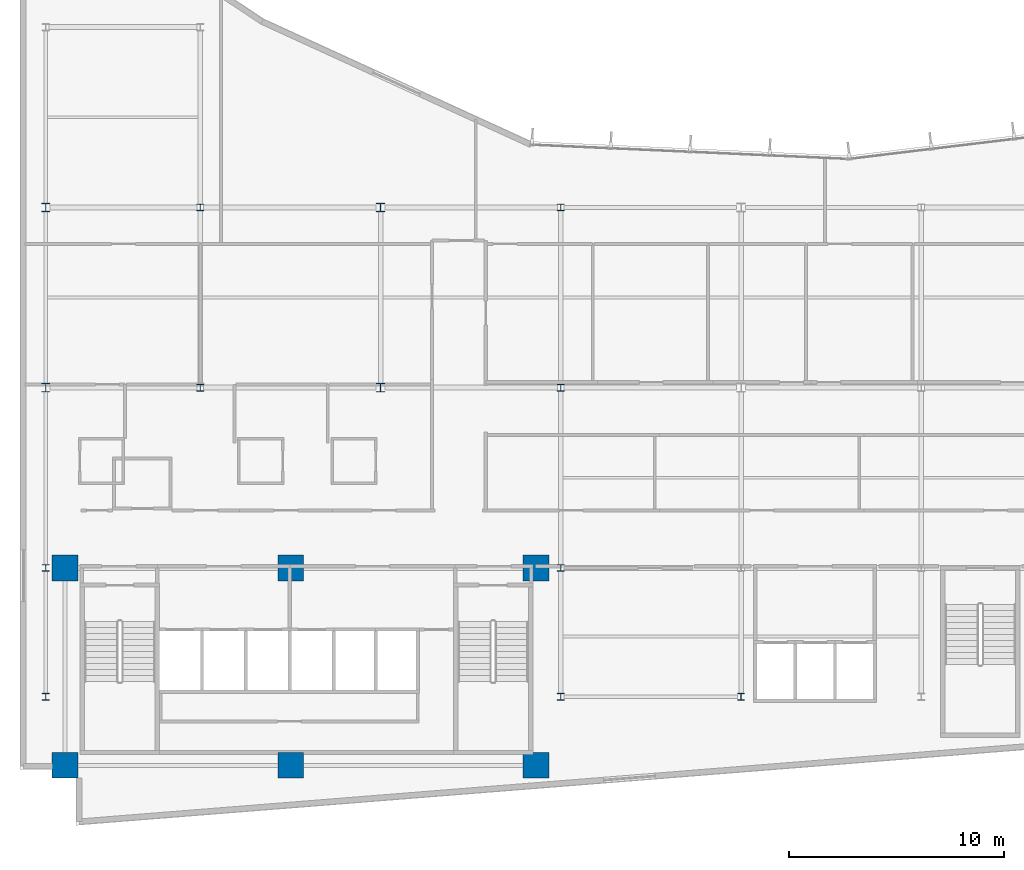
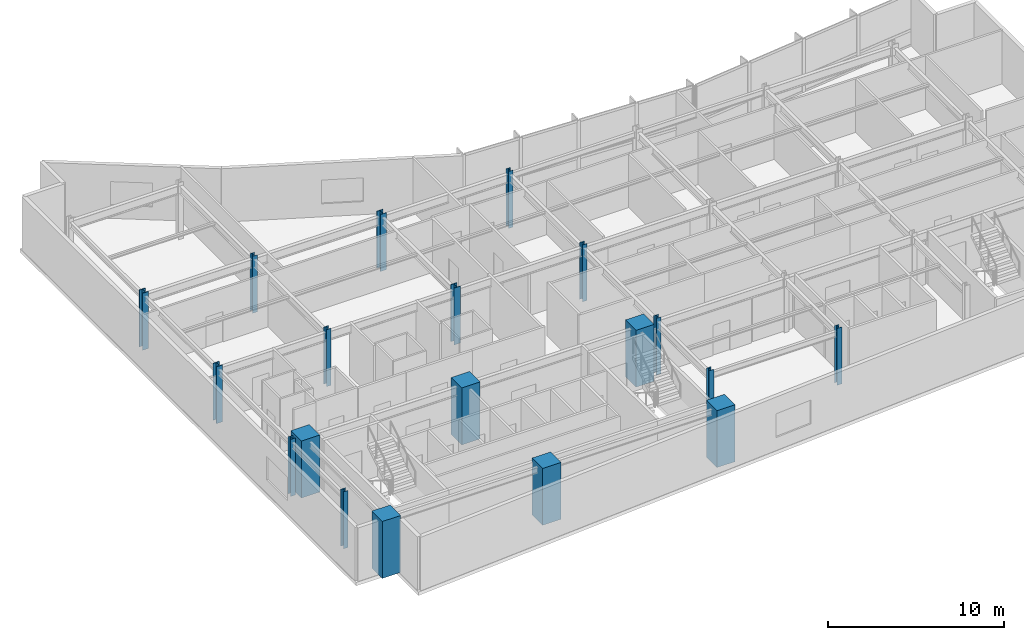
# One storey, part 1 of 18: 19 columns.
"""IFC4 building model written with IfcOpenShell, lengths in metres."""

from ifc_helpers import new_model, si_unit, direction, frame, origin, origin_2d, place, context, subcontext, project, spatial, rectangle, i_section, extrude, material, material_profile, profile_set, type_object, element, save


model = new_model("IFC4")

# Units and contexts
model_context = context("Model", 3, precision=1e-05, world=origin(), true_north=direction((0.0, 1.0)))
body_context = subcontext(model_context, "Body", "Model", "MODEL_VIEW")
ifc_project = project(units=[si_unit("LENGTHUNIT", "METRE"), si_unit("AREAUNIT", "SQUARE_METRE"), si_unit("VOLUMEUNIT", "CUBIC_METRE"), si_unit("PLANEANGLEUNIT", "RADIAN"), si_unit("MASSUNIT", "GRAM", prefix="KILO")], contexts=[model_context])

# Site, building, storey
site_placement = place(None, origin())
site = spatial("IfcSite", under=ifc_project, at=site_placement, CompositionType="ELEMENT")
building_placement = place(site_placement, origin())
building = spatial("IfcBuilding", under=site, at=building_placement, Name="Varnakote Quay Hospital", CompositionType="ELEMENT")
storey_placement = place(building_placement, frame((0.0, 0.0, 154.699951171875)))
storey = spatial("IfcBuildingStorey", under=building, at=storey_placement, Name="L38", CompositionType="ELEMENT", Elevation=154.699951171875)

# Columns
ifc_material_1 = material(Name="Concrete N80 (f'c 80 MPa)", Category="concrete")
ifc_material_profile_1 = material_profile(ifc_material_1, rectangle(XDim=1.199951171875, YDim=1.199951171875, at=origin_2d()), Name="RC-COL-1200x1200")
ifc_profile_set_1 = profile_set([ifc_material_profile_1], Name="Concrete N80 (f'c 80 MPa)")
column_type_1 = type_object("IfcColumnType", Name="COL-RC-1200", PredefinedType="COLUMN", material=ifc_profile_set_1)
for number, where, z_axis, x_axis, name in (
    (1, (2.10009765625, 2.800048828125, 0.0), (0.0, 0.0, 1.0), (1.0, 0.0, 0.0), "L38 Structural Column C-2-3"),
    (2, (12.6201171875, 2.800048828125, 0.0), (0.0, 0.0, 1.0), (1.0, 0.0, 0.0), "L38 Structural Column C-13-3"),
    (3, (24.050048828125, 2.800048828125, 0.0), (0.0, 0.0, 1.0), (1.0, 0.0, 0.0), "L38 Structural Column C-24-3"),
    (4, (2.10009765625, 12.0, 0.0), (0.0, 0.0, 1.0), (1.0, 0.0, 0.0), "L38 Structural Column C-2-12"),
    (5, (12.6201171875, 12.0, 0.0), (0.0, 0.0, 1.0), (1.0, 0.0, 0.0), "L38 Structural Column C-13-12"),
    (6, (24.050048828125, 12.0, 0.0), (0.0, 0.0, 1.0), (1.0, 0.0, 0.0), "L38 Structural Column C-24-12"),
):
    element("IfcColumn", number, at=place(storey_placement, frame(where, z_axis=z_axis, x_axis=x_axis)), inside=storey, type_object=column_type_1, Name=name, PredefinedType="COLUMN", context=body_context, shape_type="SweptSolid", body=[
        extrude(rectangle(XDim=1.199951171875, YDim=1.199951171875, at=origin_2d()), origin(), (0.0, 0.0, 1.0), 3.949951171875),
    ])
ifc_material_2 = material(Name="Structural steel AS/NZS 3679.1 Grade 350 L0 (fy 340 MPa)", Category="steel")
ifc_material_profile_2 = material_profile(ifc_material_2, i_section(OverallWidth=0.306884765625, OverallDepth=0.31494140625, WebThickness=0.011962890625, FlangeThickness=0.018798828125, FilletRadius=0.0166015625, at=origin_2d()), Name="310UC118")
ifc_profile_set_2 = profile_set([ifc_material_profile_2], Name="Structural steel AS/NZS 3679.1 Grade 350 L0 (fy 340 MPa)")
column_type_2 = type_object("IfcColumnType", Name="COL-STL-310UC118", PredefinedType="COLUMN", material=ifc_profile_set_2)
for number, where, z_axis, x_axis, name in (
    (7, (1.199951171875, 6.0, 0.0), (0.0, 0.0, 1.0), (1.0, 0.0, 0.0), "L38 Structural Column C-1-6"),
    (8, (25.199951171875, 6.0, 0.0), (0.0, 0.0, 1.0), (1.0, 0.0, 0.0), "L38 Structural Column C-25-6"),
    (9, (33.60009765625, 6.0, 0.0), (0.0, 0.0, 1.0), (1.0, 0.0, 0.0), "L38 Structural Column C-34-6"),
    (10, (1.199951171875, 12.0, 0.0), (0.0, 0.0, 1.0), (1.0, 0.0, 0.0), "L38 Structural Column C-1-12"),
    (11, (25.199951171875, 12.0, 0.0), (0.0, 0.0, 1.0), (1.0, 0.0, 0.0), "L38 Structural Column C-25-12"),
    (12, (8.39990234375, 20.39990234375, 0.0), (0.0, 0.0, 1.0), (1.0, 0.0, 0.0), "L38 Structural Column C-8-20"),
    (13, (25.199951171875, 20.39990234375, 0.0), (0.0, 0.0, 1.0), (1.0, 0.0, 0.0), "L38 Structural Column C-25-20"),
    (14, (8.39990234375, 28.800048828125, 0.0), (0.0, 0.0, 1.0), (1.0, 0.0, 0.0), "L38 Structural Column C-8-29"),
    (15, (25.199951171875, 28.800048828125, 0.0), (0.0, 0.0, 1.0), (1.0, 0.0, 0.0), "L38 Structural Column C-25-29"),
):
    element("IfcColumn", number, at=place(storey_placement, frame(where, z_axis=z_axis, x_axis=x_axis)), inside=storey, type_object=column_type_2, Name=name, PredefinedType="COLUMN", context=body_context, shape_type="SweptSolid", body=[
        extrude(i_section(OverallWidth=0.306884765625, OverallDepth=0.31494140625, WebThickness=0.011962890625, FlangeThickness=0.018798828125, FilletRadius=0.0166015625, at=origin_2d()), origin(), (0.0, 0.0, 1.0), 3.949951171875),
    ])
ifc_material_3 = material(Name="Structural steel AS/NZS 3678 Grade 350 (fy 340 MPa)", Category="steel")
ifc_material_profile_3 = material_profile(ifc_material_3, i_section(OverallWidth=0.39990234375, OverallDepth=0.419921875, WebThickness=0.02490234375, FlangeThickness=0.0400390625, at=origin_2d()), Name="400WC328")
ifc_profile_set_3 = profile_set([ifc_material_profile_3], Name="Structural steel AS/NZS 3678 Grade 350 (fy 340 MPa)")
column_type_3 = type_object("IfcColumnType", Name="COL-STL-400WC328", PredefinedType="COLUMN", material=ifc_profile_set_3)
for number, where, z_axis, x_axis, name in (
    (16, (1.199951171875, 20.39990234375, 0.0), (0.0, 0.0, 1.0), (1.0, 0.0, 0.0), "L38 Structural Column C-1-20"),
    (17, (16.800048828125, 20.39990234375, 0.0), (0.0, 0.0, 1.0), (1.0, 0.0, 0.0), "L38 Structural Column C-17-20"),
    (18, (1.199951171875, 28.800048828125, 0.0), (0.0, 0.0, 1.0), (1.0, 0.0, 0.0), "L38 Structural Column C-1-29"),
    (19, (16.800048828125, 28.800048828125, 0.0), (0.0, 0.0, 1.0), (1.0, 0.0, 0.0), "L38 Structural Column C-17-29"),
):
    element("IfcColumn", number, at=place(storey_placement, frame(where, z_axis=z_axis, x_axis=x_axis)), inside=storey, type_object=column_type_3, Name=name, PredefinedType="COLUMN", context=body_context, shape_type="SweptSolid", body=[
        extrude(i_section(OverallWidth=0.39990234375, OverallDepth=0.419921875, WebThickness=0.02490234375, FlangeThickness=0.0400390625, at=origin_2d()), origin(), (0.0, 0.0, 1.0), 3.949951171875),
    ])

save(model, "model.ifc")
